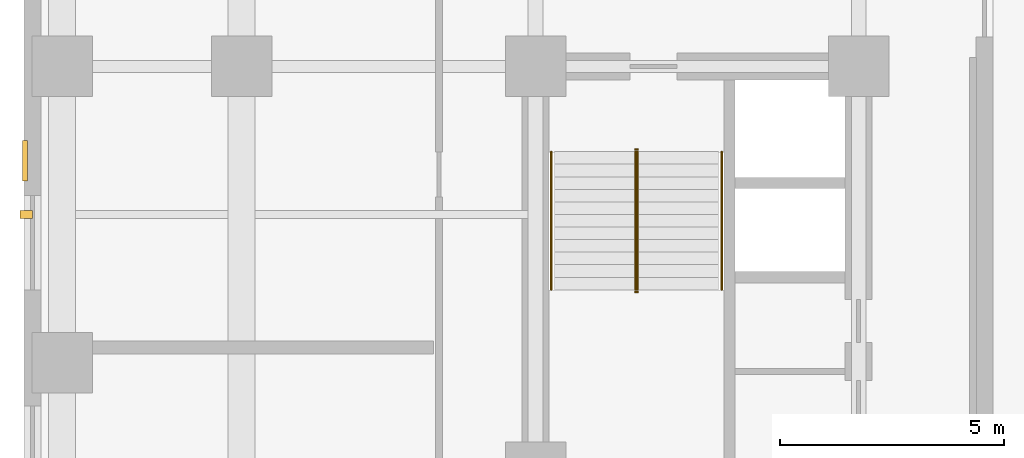
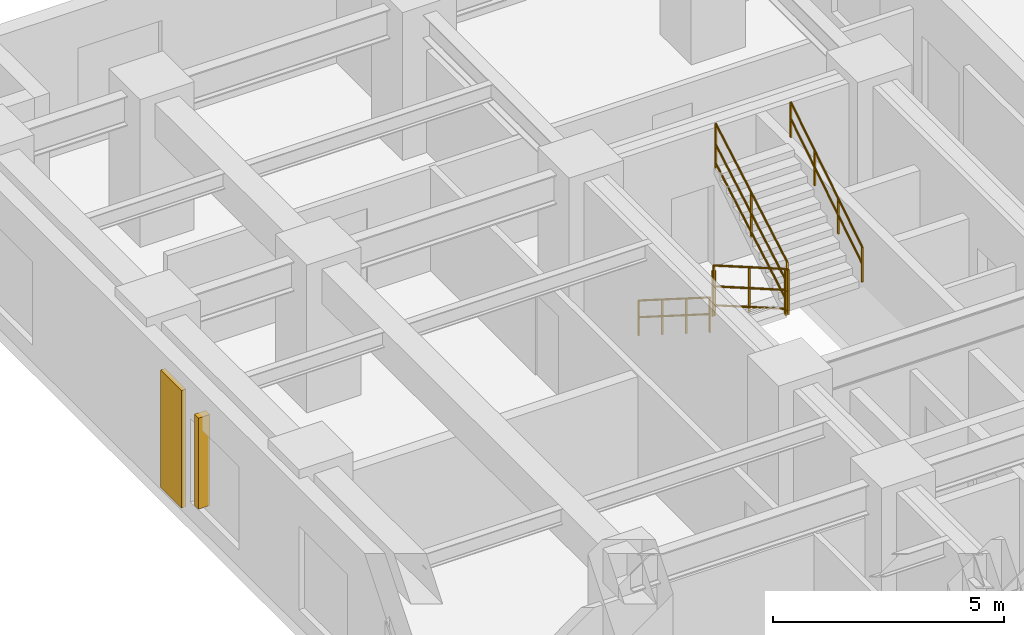
# One storey, part 9 of 10: 6 railings, 1 covering, 1 shading device.
"""IFC4 building model written with IfcOpenShell, lengths in metres."""

import ifcopenshell
import ifcopenshell.guid

model = None  # the IFC model being written
_history = None  # IfcOwnerHistory: only IFC2X3 demands one
_inside = {}  # id of a spatial element -> (the spatial element, [elements in it])
_under = {}  # id of a project, library or spatial element -> (it, [spatial elements below it])
_declared = {}  # id of a project -> (the project, [libraries it declares])
_typed = {}  # id of a type object -> (the type object, [elements of that type])
_made_of = {}  # id of a material, layer set ... -> (it, [elements and type objects made of it])


def new_model(schema):
    """Start an empty IFC model of exactly this schema.

    Asked for "IFC4X3", IfcOpenShell would pick the latest addendum, in which some entities
    have other attributes; the version numbers below select the first issue.
    IFC2X3 requires an IfcOwnerHistory on every rooted entity: one is made here for all.
    """
    global model, _history
    if schema == "IFC4X3":
        model = ifcopenshell.file(schema_version=(4, 3, 0, 0))
    else:
        model = ifcopenshell.file(schema=schema)
    _inside.clear()
    _under.clear()
    _declared.clear()
    _typed.clear()
    _made_of.clear()
    _history = None
    if model.schema == "IFC2X3":
        org = make("IfcOrganization", Name="unknown")
        user = make(
            "IfcPersonAndOrganization",
            ThePerson=make("IfcPerson", FamilyName="unknown"),
            TheOrganization=org,
        )
        app = make(
            "IfcApplication",
            ApplicationDeveloper=org,
            Version="unknown",
            ApplicationFullName="unknown",
            ApplicationIdentifier="unknown",
        )
        _history = make(
            "IfcOwnerHistory",
            OwningUser=user,
            OwningApplication=app,
            ChangeAction="ADDED",
            CreationDate=0,
        )
    return model


def make(cls, **values):
    """One entity of the class cls with the attributes given. An attribute that is None is left unset."""
    return model.create_entity(
        cls, **{name: value for name, value in values.items() if value is not None}
    )


def entity(cls, *values):
    """Any entity or typed value of the class cls, its attributes in the order of the schema. None: left unset."""
    e = model.create_entity(cls)
    for i, value in enumerate(values):
        if value is not None:
            e[i] = value
    return e


def rooted(cls, **values):
    """An entity with a GlobalId (a new one), such as an element, a storey or a relation."""
    return make(cls, GlobalId=ifcopenshell.guid.new(), OwnerHistory=_history, **values)


def si_unit(unit_type, name, prefix=None):
    """IfcSIUnit, for example si_unit("LENGTHUNIT", "METRE", prefix="MILLI")."""
    return make("IfcSIUnit", UnitType=unit_type, Prefix=prefix, Name=name)


def converted_unit(unit_type, name, factor, base, dimensions=None, offset=None):
    """IfcConversionBasedUnit, such as the inch: factor (a typed value) times the base unit."""
    return make(
        "IfcConversionBasedUnit"
        if offset is None
        else "IfcConversionBasedUnitWithOffset",
        ConversionOffset=offset,
        Dimensions=None
        if dimensions is None
        else entity("IfcDimensionalExponents", *dimensions),
        UnitType=unit_type,
        Name=name,
        ConversionFactor=make(
            "IfcMeasureWithUnit", ValueComponent=factor, UnitComponent=base
        ),
    )


def assignment(units):
    """IfcUnitAssignment: the units of a project."""
    return None if units is None else make("IfcUnitAssignment", Units=units)


def point(xyz):
    """IfcCartesianPoint."""
    return None if xyz is None else make("IfcCartesianPoint", Coordinates=xyz)


def direction(xyz):
    """IfcDirection."""
    return None if xyz is None else make("IfcDirection", DirectionRatios=xyz)


def frame(location, z_axis=None, x_axis=None):
    """IfcAxis2Placement3D, a coordinate frame: its origin and axes. An axis left out is left unset."""
    return make(
        "IfcAxis2Placement3D",
        Location=point(location),
        Axis=direction(z_axis),
        RefDirection=direction(x_axis),
    )


def frame_2d(location, x_axis=None):
    """IfcAxis2Placement2D, a coordinate frame in the plane: its origin and x axis."""
    return make(
        "IfcAxis2Placement2D", Location=point(location), RefDirection=direction(x_axis)
    )


def origin_with_axes():
    """The frame at (0, 0, 0) with the z axis (0, 0, 1) and the x axis (1, 0, 0) written out."""
    return frame((0.0, 0.0, 0.0), z_axis=(0.0, 0.0, 1.0), x_axis=(1.0, 0.0, 0.0))


def origin_2d_with_axis():
    """The frame at (0, 0) in the plane with the x axis (1, 0) written out."""
    return frame_2d((0.0, 0.0), x_axis=(1.0, 0.0))


def place(relative_to, where):
    """IfcLocalPlacement: puts the frame where relative to a parent placement (None: the world)."""
    return make(
        "IfcLocalPlacement", PlacementRelTo=relative_to, RelativePlacement=where
    )


def context(
    kind, dimensions, precision=None, world=None, true_north=None, identifier=None
):
    """IfcGeometricRepresentationContext, for example the 3D "Model" context."""
    return make(
        "IfcGeometricRepresentationContext",
        ContextIdentifier=identifier,
        ContextType=kind,
        CoordinateSpaceDimension=dimensions,
        Precision=precision,
        WorldCoordinateSystem=world,
        TrueNorth=true_north,
    )


def subcontext(parent, identifier, kind, view, scale=None):
    """IfcGeometricRepresentationSubContext, for example "Body" below "Model"."""
    return make(
        "IfcGeometricRepresentationSubContext",
        ContextIdentifier=identifier,
        ContextType=kind,
        ParentContext=parent,
        TargetScale=scale,
        TargetView=view,
    )


def project(units=None, contexts=None):
    """IfcProject with its units and contexts."""
    return rooted(
        "IfcProject",
        Name="project",
        RepresentationContexts=contexts,
        UnitsInContext=assignment(units),
    )


def spatial(cls, under=None, at=None, **own):
    """A site, building, storey or space (cls), placed at a placement, below another one or the project."""
    s = rooted(cls, ObjectPlacement=at, **own)
    if under is not None:
        _under.setdefault(under.id(), (under, []))[1].append(s)
    return s


def profile(cls, at=None, kind="AREA", **sizes):
    """A parametric profile (cls). Its sizes go by their IFC names, for example OverallWidth=200.0."""
    return make(cls, ProfileType=kind, Position=at, **sizes)


def rectangle(**sizes):
    """IfcRectangleProfileDef."""
    return profile("IfcRectangleProfileDef", **sizes)


def circle(**sizes):
    """IfcCircleProfileDef."""
    return profile("IfcCircleProfileDef", **sizes)


def extrude(swept, where, along, depth):
    """IfcExtrudedAreaSolid: the profile swept, set in the frame where, extruded along a direction by depth."""
    return make(
        "IfcExtrudedAreaSolid",
        SweptArea=swept,
        Position=where,
        ExtrudedDirection=direction(along),
        Depth=depth,
    )


def shape(context_of_items, identifier, shape_type, items):
    """IfcShapeRepresentation: the items that make up one representation, for example the "Body"."""
    return make(
        "IfcShapeRepresentation",
        ContextOfItems=context_of_items,
        RepresentationIdentifier=identifier,
        RepresentationType=shape_type,
        Items=items,
    )


def material(Name=None, Category=None):
    """IfcMaterial."""
    return make("IfcMaterial", Name=Name, Category=Category)


def layer(
    of_material, thickness, ventilated=None, Name=None, Category=None, Priority=None
):
    """IfcMaterialLayer: one layer of a wall or slab, of a material (None: an air gap)."""
    return make(
        "IfcMaterialLayer",
        Material=of_material,
        LayerThickness=thickness,
        IsVentilated=ventilated,
        Name=Name,
        Category=Category,
        Priority=Priority,
    )


def layer_set(layers, Name=None):
    """IfcMaterialLayerSet."""
    return make("IfcMaterialLayerSet", MaterialLayers=layers, LayerSetName=Name)


def made_of(thing, what):
    """Note that an element or type object is made of a material, layer set ...; save() writes the relation."""
    if what is not None:
        _made_of.setdefault(what.id(), (what, []))[1].append(thing)
    return thing


def type_object(cls, material=None, **own):
    """A type object (cls), such as IfcWallType, which elements share."""
    return made_of(rooted(cls, **own), material)


def element(
    cls,
    number,
    at=None,
    inside=None,
    cuts=None,
    type_object=None,
    material=None,
    context=None,
    identifier="Body",
    shape_type=None,
    held_by="IfcProductDefinitionShape",
    body=None,
    shapes=None,
    **own,
):
    """One element of the class cls, such as IfcWall. Its Tag is "e" and its number.

    at: its placement. inside: the storey or other place that contains it. cuts: it is an
    opening in that element (IfcRelVoidsElement). A single representation is given by context,
    identifier, shape_type and body (its items); several are given by shapes. held_by: the class
    of the entity that holds the representations. save() writes the other relations.
    """
    e = rooted(cls, Tag="e%d" % number, ObjectPlacement=at, **own)
    if body is not None:
        shapes = [shape(context, identifier, shape_type, body)]
    if shapes is not None:
        e.Representation = make(held_by, Representations=shapes)
    if inside is not None:
        _inside.setdefault(inside.id(), (inside, []))[1].append(e)
    if cuts is not None:
        rooted(
            "IfcRelVoidsElement", RelatingBuildingElement=cuts, RelatedOpeningElement=e
        )
    if type_object is not None:
        _typed.setdefault(type_object.id(), (type_object, []))[1].append(e)
    return made_of(e, material)


def aggregate(whole, parts):
    """IfcRelAggregates: a whole, such as a stair, and the parts it consists of."""
    return rooted("IfcRelAggregates", RelatingObject=whole, RelatedObjects=parts)


def save(model, path):
    """Write the relations noted so far, then the file.

    IfcRelAggregates (storeys below a building ...), IfcRelContainedInSpatialStructure (elements
    in a storey), IfcRelDefinesByType, IfcRelAssociatesMaterial and IfcRelDeclares: one each for
    every whole, place, type object, material and project.
    """
    for whole, parts in _under.values():
        aggregate(whole, parts)
    for where, things in _inside.values():
        rooted(
            "IfcRelContainedInSpatialStructure",
            RelatedElements=things,
            RelatingStructure=where,
        )
    for kind, things in _typed.values():
        rooted("IfcRelDefinesByType", RelatedObjects=things, RelatingType=kind)
    for what, things in _made_of.values():
        rooted("IfcRelAssociatesMaterial", RelatedObjects=things, RelatingMaterial=what)
    for by, libraries in _declared.values():
        rooted("IfcRelDeclares", RelatingContext=by, RelatedDefinitions=libraries)
    model.write(path)


model = new_model("IFC4")

# Units and contexts
model_context = context("Model", 3, precision=1e-05, world=origin_with_axes(), true_north=direction((0.0, 1.0)))
body_context = subcontext(model_context, "Body", "Model", "MODEL_VIEW")
ifc_project = project(units=[si_unit("LENGTHUNIT", "METRE"), si_unit("AREAUNIT", "SQUARE_METRE"), si_unit("VOLUMEUNIT", "CUBIC_METRE"), converted_unit("PLANEANGLEUNIT", "DEGREE", entity("IfcPlaneAngleMeasure", 0.017453292519943295), si_unit("PLANEANGLEUNIT", "RADIAN"), dimensions=[0, 0, 0, 0, 0, 0, 0]), si_unit("MASSUNIT", "GRAM", prefix="KILO"), si_unit("THERMODYNAMICTEMPERATUREUNIT", "KELVIN")], contexts=[model_context])

# Site, building, storey
site_placement = place(None, origin_with_axes())
site = spatial("IfcSite", under=ifc_project, at=site_placement, CompositionType="ELEMENT")
building_placement = place(site_placement, origin_with_axes())
building = spatial("IfcBuilding", under=site, at=building_placement, Name="Varnlund Millrace Tower", CompositionType="ELEMENT")
storey_placement = place(building_placement, frame((0.0, 0.0, 28.8), z_axis=(0.0, 0.0, 1.0), x_axis=(1.0, 0.0, 0.0)))
storey = spatial("IfcBuildingStorey", under=building, at=storey_placement, Name="L06", CompositionType="ELEMENT", Elevation=28.8)

# Covering
ifc_material_1 = material(Name="Precast concrete C50/60", Category="concrete")
ifc_layer = layer(ifc_material_1, 0.11, Name="Precast concrete C50/60")
ifc_layer_set = layer_set([ifc_layer], Name="Precast concrete C50/60")
covering_type = type_object("IfcCoveringType", Name="Type-Cladding-KasotaPier-110", PredefinedType="CLADDING", material=ifc_layer_set)
covering_placement = place(storey_placement, frame((0.02, 35.7, 0.1), z_axis=(0.0, 0.0, 1.0), x_axis=(1.0, 0.0, 0.0)))
element("IfcCovering", 1, at=covering_placement, inside=storey, type_object=covering_type, Name="Type-Cladding-KasotaPier-110", PredefinedType="CLADDING", context=body_context, shape_type="SweptSolid", body=[
    extrude(rectangle(XDim=0.11, YDim=0.9, at=origin_2d_with_axis()), origin_with_axes(), (0.0, 0.0, 1.0), 3.1),
])

# Shading device
ifc_material_2 = material(Name="Architectural bronze fluted spandrel fin", Category="aluminium")
shading_device_type = type_object("IfcShadingDeviceType", Name="Type-Shade-ArtDecoFin", PredefinedType="USERDEFINED", material=ifc_material_2)
shading_device_placement = place(storey_placement, frame((0.05, 34.5, 0.6), z_axis=(0.0, 0.0, 1.0), x_axis=(1.0, 0.0, 0.0)))
element("IfcShadingDevice", 2, at=shading_device_placement, inside=storey, type_object=shading_device_type, Name="Type-Shade-ArtDecoFin", ObjectType="FIN", PredefinedType="USERDEFINED", context=body_context, shape_type="SweptSolid", body=[
    extrude(rectangle(XDim=0.28, YDim=0.18, at=origin_2d_with_axis()), origin_with_axes(), (0.0, 0.0, 1.0), 2.4),
])

# Railings
ifc_material_3 = material(Name="Painted steel stair well balustrade guard", Category="steel")
railing_type_1 = type_object("IfcRailingType", Name="Type-StairGuard-1150", PredefinedType="GUARDRAIL", material=ifc_material_3)
railing_1_placement = place(storey_placement, frame((0.0, 0.0, -28.8), z_axis=(0.0, 0.0, 1.0), x_axis=(1.0, 0.0, 0.0)))
element("IfcRailing", 3, at=railing_1_placement, inside=storey, type_object=railing_type_1, Name="Type-StairGuard-1150", PredefinedType="GUARDRAIL", context=body_context, shape_type="SweptSolid", body=[
    extrude(circle(Radius=0.024, at=origin_2d_with_axis()), frame((13.625, 35.9, 30.127273), z_axis=(0.0, -0.866696, 0.498836), x_axis=(1.0, 0.0, 0.0)), (0.0, 0.0, 1.0), 3.553725),
    extrude(circle(Radius=0.024, at=origin_2d_with_axis()), frame((13.625, 35.9, 29.077273), z_axis=(0.0, -0.866696, 0.498836), x_axis=(1.0, 0.0, 0.0)), (0.0, 0.0, 1.0), 3.553725),
    extrude(circle(Radius=0.024, at=origin_2d_with_axis()), frame((13.625, 35.9, 29.575273), z_axis=(0.0, -0.866696, 0.498836), x_axis=(1.0, 0.0, 0.0)), (0.0, 0.0, 1.0), 3.553725),
    extrude(rectangle(XDim=0.04, YDim=0.04, at=origin_2d_with_axis()), frame((13.625, 35.9, 28.937273), z_axis=(0.0, 0.0, 1.0), x_axis=(1.0, 0.0, 0.0)), (0.0, 0.0, 1.0), 1.19),
    extrude(rectangle(XDim=0.04, YDim=0.04, at=origin_2d_with_axis()), frame((13.625, 34.36, 29.823636), z_axis=(0.0, 0.0, 1.0), x_axis=(1.0, 0.0, 0.0)), (0.0, 0.0, 1.0), 1.19),
    extrude(rectangle(XDim=0.04, YDim=0.04, at=origin_2d_with_axis()), frame((13.625, 32.82, 30.71), z_axis=(0.0, 0.0, 1.0), x_axis=(1.0, 0.0, 0.0)), (0.0, 0.0, 1.0), 1.19),
])
railing_2_placement = place(storey_placement, frame((0.0, 0.0, -28.8), z_axis=(0.0, 0.0, 1.0), x_axis=(1.0, 0.0, 0.0)))
element("IfcRailing", 4, at=railing_2_placement, inside=storey, type_object=railing_type_1, Name="Type-StairGuard-1150", PredefinedType="GUARDRAIL", context=body_context, shape_type="SweptSolid", body=[
    extrude(circle(Radius=0.024, at=origin_2d_with_axis()), frame((13.675, 32.77, 31.9), z_axis=(-1.0, 0.0, 0.0), x_axis=(0.0, -1.0, 0.0)), (0.0, 0.0, 1.0), 0.05),
    extrude(circle(Radius=0.024, at=origin_2d_with_axis()), frame((13.675, 32.77, 30.85), z_axis=(-1.0, 0.0, 0.0), x_axis=(0.0, -1.0, 0.0)), (0.0, 0.0, 1.0), 0.05),
    extrude(circle(Radius=0.024, at=origin_2d_with_axis()), frame((13.675, 32.77, 31.348), z_axis=(-1.0, 0.0, 0.0), x_axis=(0.0, -1.0, 0.0)), (0.0, 0.0, 1.0), 0.05),
    extrude(rectangle(XDim=0.04, YDim=0.04, at=origin_2d_with_axis()), frame((13.675, 32.77, 30.71), z_axis=(0.0, 0.0, 1.0), x_axis=(1.0, 0.0, 0.0)), (0.0, 0.0, 1.0), 1.19),
    extrude(rectangle(XDim=0.04, YDim=0.04, at=origin_2d_with_axis()), frame((13.625, 32.77, 30.71), z_axis=(0.0, 0.0, 1.0), x_axis=(1.0, 0.0, 0.0)), (0.0, 0.0, 1.0), 1.19),
])
railing_3_placement = place(storey_placement, frame((0.0, 0.0, -28.8), z_axis=(0.0, 0.0, 1.0), x_axis=(1.0, 0.0, 0.0)))
element("IfcRailing", 5, at=railing_3_placement, inside=storey, type_object=railing_type_1, Name="Type-StairGuard-1150", PredefinedType="GUARDRAIL", context=body_context, shape_type="SweptSolid", body=[
    extrude(circle(Radius=0.024, at=origin_2d_with_axis()), frame((13.675, 32.82, 32.077273), z_axis=(0.0, 0.866696, 0.498836), x_axis=(-1.0, 0.0, 0.0)), (0.0, 0.0, 1.0), 3.553725),
    extrude(circle(Radius=0.024, at=origin_2d_with_axis()), frame((13.675, 32.82, 31.027273), z_axis=(0.0, 0.866696, 0.498836), x_axis=(-1.0, 0.0, 0.0)), (0.0, 0.0, 1.0), 3.553725),
    extrude(circle(Radius=0.024, at=origin_2d_with_axis()), frame((13.675, 32.82, 31.525273), z_axis=(0.0, 0.866696, 0.498836), x_axis=(-1.0, 0.0, 0.0)), (0.0, 0.0, 1.0), 3.553725),
    extrude(rectangle(XDim=0.04, YDim=0.04, at=origin_2d_with_axis()), frame((13.675, 32.82, 30.887273), z_axis=(0.0, 0.0, 1.0), x_axis=(1.0, 0.0, 0.0)), (0.0, 0.0, 1.0), 1.19),
    extrude(rectangle(XDim=0.04, YDim=0.04, at=origin_2d_with_axis()), frame((13.675, 34.36, 31.773637), z_axis=(0.0, 0.0, 1.0), x_axis=(1.0, 0.0, 0.0)), (0.0, 0.0, 1.0), 1.19),
    extrude(rectangle(XDim=0.04, YDim=0.04, at=origin_2d_with_axis()), frame((13.675, 35.9, 32.66), z_axis=(0.0, 0.0, 1.0), x_axis=(1.0, 0.0, 0.0)), (0.0, 0.0, 1.0), 1.19),
])
railing_4_placement = place(storey_placement, frame((0.0, 0.0, -28.8), z_axis=(0.0, 0.0, 1.0), x_axis=(1.0, 0.0, 0.0)))
element("IfcRailing", 6, at=railing_4_placement, inside=storey, type_object=railing_type_1, Name="Type-StairGuard-1150", PredefinedType="GUARDRAIL", context=body_context, shape_type="SweptSolid", body=[
    extrude(circle(Radius=0.024, at=origin_2d_with_axis()), frame((13.675, 35.95, 29.95), z_axis=(-1.0, 0.0, 0.0), x_axis=(0.0, -1.0, 0.0)), (0.0, 0.0, 1.0), 0.05),
    extrude(circle(Radius=0.024, at=origin_2d_with_axis()), frame((13.675, 35.95, 28.9), z_axis=(-1.0, 0.0, 0.0), x_axis=(0.0, -1.0, 0.0)), (0.0, 0.0, 1.0), 0.05),
    extrude(circle(Radius=0.024, at=origin_2d_with_axis()), frame((13.675, 35.95, 29.398), z_axis=(-1.0, 0.0, 0.0), x_axis=(0.0, -1.0, 0.0)), (0.0, 0.0, 1.0), 0.05),
    extrude(rectangle(XDim=0.04, YDim=0.04, at=origin_2d_with_axis()), frame((13.675, 35.95, 28.76), z_axis=(0.0, 0.0, 1.0), x_axis=(1.0, 0.0, 0.0)), (0.0, 0.0, 1.0), 1.19),
    extrude(rectangle(XDim=0.04, YDim=0.04, at=origin_2d_with_axis()), frame((13.625, 35.95, 28.76), z_axis=(0.0, 0.0, 1.0), x_axis=(1.0, 0.0, 0.0)), (0.0, 0.0, 1.0), 1.19),
])
ifc_material_4 = material(Name="Brushed architectural bronze stair handrail", Category="aluminium")
railing_type_2 = type_object("IfcRailingType", Name="Type-StairHandrail-900", PredefinedType="HANDRAIL", material=ifc_material_4)
railing_5_placement = place(storey_placement, frame((0.0, 0.0, -28.8), z_axis=(0.0, 0.0, 1.0), x_axis=(1.0, 0.0, 0.0)))
element("IfcRailing", 7, at=railing_5_placement, inside=storey, type_object=railing_type_2, Name="Type-StairHandrail-900", PredefinedType="HANDRAIL", context=body_context, shape_type="SweptSolid", body=[
    extrude(circle(Radius=0.024, at=origin_2d_with_axis()), frame((11.75, 35.9, 29.856995), z_axis=(0.0, -0.844902, 0.534922), x_axis=(1.0, 0.0, 0.0)), (0.0, 0.0, 1.0), 3.645394),
    extrude(circle(Radius=0.024, at=origin_2d_with_axis()), frame((11.75, 35.9, 29.417134), z_axis=(0.0, -0.844902, 0.534922), x_axis=(1.0, 0.0, 0.0)), (0.0, 0.0, 1.0), 3.645394),
    extrude(rectangle(XDim=0.04, YDim=0.04, at=origin_2d_with_axis()), frame((11.75, 35.9, 28.937273), z_axis=(0.0, 0.0, 1.0), x_axis=(1.0, 0.0, 0.0)), (0.0, 0.0, 1.0), 0.919722),
    extrude(rectangle(XDim=0.04, YDim=0.04, at=origin_2d_with_axis()), frame((11.75, 34.873333, 29.587273), z_axis=(0.0, 0.0, 1.0), x_axis=(1.0, 0.0, 0.0)), (0.0, 0.0, 1.0), 0.919722),
    extrude(rectangle(XDim=0.04, YDim=0.04, at=origin_2d_with_axis()), frame((11.75, 33.846667, 30.237273), z_axis=(0.0, 0.0, 1.0), x_axis=(1.0, 0.0, 0.0)), (0.0, 0.0, 1.0), 0.919722),
    extrude(rectangle(XDim=0.04, YDim=0.04, at=origin_2d_with_axis()), frame((11.75, 32.82, 30.887273), z_axis=(0.0, 0.0, 1.0), x_axis=(1.0, 0.0, 0.0)), (0.0, 0.0, 1.0), 0.919722),
])
railing_6_placement = place(storey_placement, frame((0.0, 0.0, -28.8), z_axis=(0.0, 0.0, 1.0), x_axis=(1.0, 0.0, 0.0)))
element("IfcRailing", 8, at=railing_6_placement, inside=storey, type_object=railing_type_2, Name="Type-StairHandrail-900", PredefinedType="HANDRAIL", context=body_context, shape_type="SweptSolid", body=[
    extrude(circle(Radius=0.024, at=origin_2d_with_axis()), frame((15.55, 32.82, 31.806995), z_axis=(0.0, 0.844902, 0.534922), x_axis=(-1.0, 0.0, 0.0)), (0.0, 0.0, 1.0), 3.645394),
    extrude(circle(Radius=0.024, at=origin_2d_with_axis()), frame((15.55, 32.82, 31.367134), z_axis=(0.0, 0.844902, 0.534922), x_axis=(-1.0, 0.0, 0.0)), (0.0, 0.0, 1.0), 3.645394),
    extrude(rectangle(XDim=0.04, YDim=0.04, at=origin_2d_with_axis()), frame((15.55, 32.82, 30.887273), z_axis=(0.0, 0.0, 1.0), x_axis=(1.0, 0.0, 0.0)), (0.0, 0.0, 1.0), 0.919722),
    extrude(rectangle(XDim=0.04, YDim=0.04, at=origin_2d_with_axis()), frame((15.55, 33.846667, 31.537273), z_axis=(0.0, 0.0, 1.0), x_axis=(1.0, 0.0, 0.0)), (0.0, 0.0, 1.0), 0.919722),
    extrude(rectangle(XDim=0.04, YDim=0.04, at=origin_2d_with_axis()), frame((15.55, 34.873333, 32.187273), z_axis=(0.0, 0.0, 1.0), x_axis=(1.0, 0.0, 0.0)), (0.0, 0.0, 1.0), 0.919722),
    extrude(rectangle(XDim=0.04, YDim=0.04, at=origin_2d_with_axis()), frame((15.55, 35.9, 32.837273), z_axis=(0.0, 0.0, 1.0), x_axis=(1.0, 0.0, 0.0)), (0.0, 0.0, 1.0), 0.919722),
])

save(model, "model.ifc")
